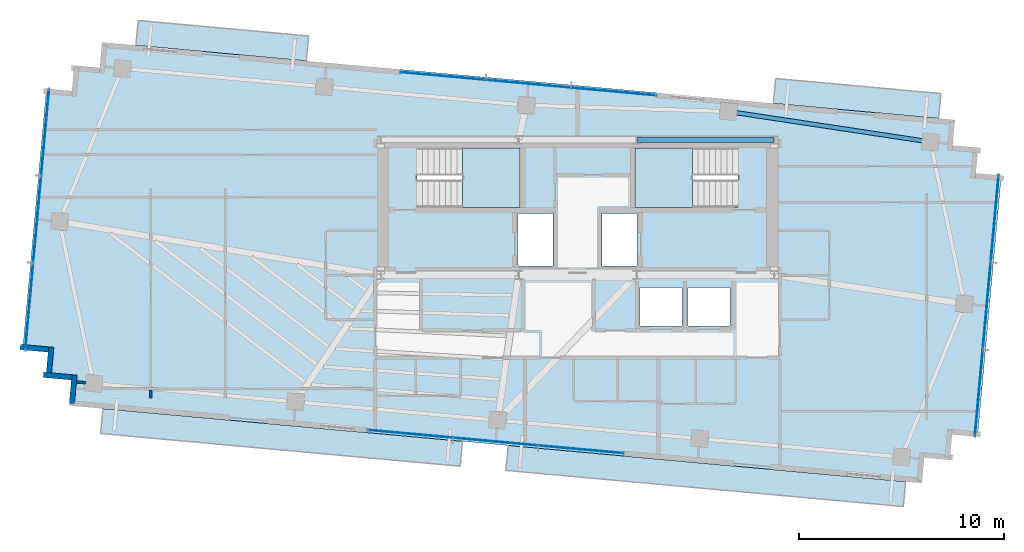
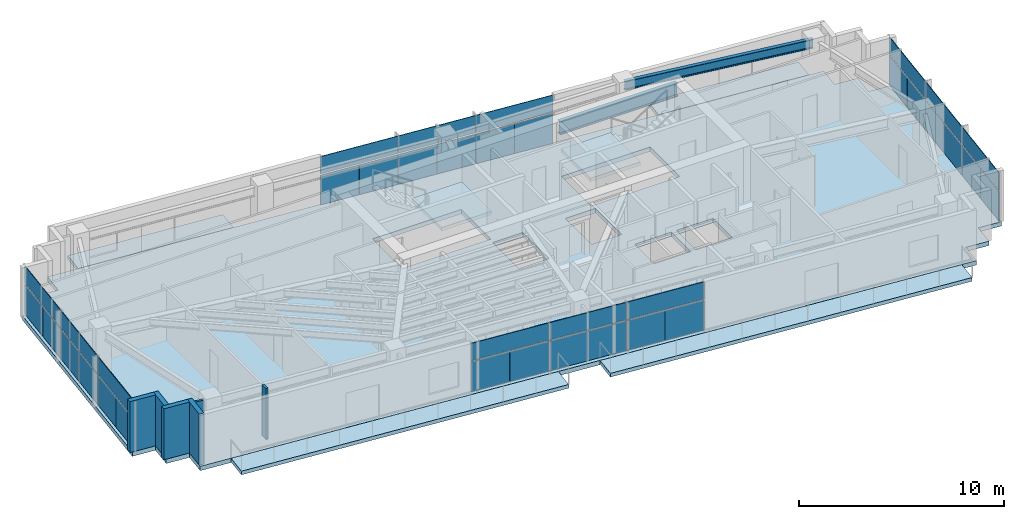
# One storey, part 15 of 22: 36 plates, 7 slabs, 6 walls, 2 beams, 6 elements without a shape of their own.
"""IFC4 building model written with IfcOpenShell, lengths in metres."""

from ifc_helpers import new_model, si_unit, direction, frame, frame_2d, origin, origin_2d, place, context, subcontext, project, spatial, polyline, rectangle, i_section, outline, extrude, source, transform, mapped, material, layer, layer_set, material_profile, profile_set, type_object, type_shapes, element, aggregate, save


model = new_model("IFC4")

# Units and contexts
model_context = context("Model", 3, precision=1e-05, world=origin(), true_north=direction((0.0, 1.0)))
body_context = subcontext(model_context, "Body", "Model", "MODEL_VIEW")
ifc_project = project(units=[si_unit("LENGTHUNIT", "METRE"), si_unit("AREAUNIT", "SQUARE_METRE"), si_unit("VOLUMEUNIT", "CUBIC_METRE"), si_unit("PLANEANGLEUNIT", "RADIAN"), si_unit("MASSUNIT", "GRAM", prefix="KILO")], contexts=[model_context])

# Site, building, storey
site_placement = place(None, origin())
site = spatial("IfcSite", under=ifc_project, at=site_placement, CompositionType="ELEMENT")
building_placement = place(site_placement, origin())
building = spatial("IfcBuilding", under=site, at=building_placement, Name="Astriad Promenade Condominiums", CompositionType="ELEMENT")
storey_placement = place(building_placement, frame((0.0, 0.0, 239.699951171875)))
storey = spatial("IfcBuildingStorey", under=building, at=storey_placement, Name="L69", CompositionType="ELEMENT", Elevation=239.699951171875)

# Beams
ifc_material_1 = material(Name="Steel ASTM A992 Grade 50", Category="steel")
ifc_material_profile_1 = material_profile(ifc_material_1, i_section(OverallWidth=0.267822265625, OverallDepth=0.76953125, WebThickness=0.015625, FlangeThickness=0.025390625, FilletRadius=0.021484375, at=origin_2d()), Name="W30X132")
ifc_profile_set_1 = profile_set([ifc_material_profile_1], Name="Steel ASTM A992 Grade 50")
beam_type_1 = type_object("IfcBeamType", Name="STEEL FLOOR GIRDER W30X132", PredefinedType="BEAM", material=ifc_profile_set_1)
shared_shape_1 = source(origin(), body_context, "Body", "SweptSolid", [
    extrude(i_section(OverallWidth=0.267822265625, OverallDepth=0.76953125, WebThickness=0.015625, FlangeThickness=0.025390625, FilletRadius=0.021484375, at=origin_2d()), origin(), (0.0, 0.0, 1.0), 6.64013671875),
])
type_shapes(beam_type_1, [shared_shape_1])
beam_1_placement = place(storey_placement, frame((38.919921875, 24.0, 2.6552734375), z_axis=(1.0, 0.0, 0.0), x_axis=(0.0, 1.0, 0.0)))
element("IfcBeam", 1, at=beam_1_placement, inside=storey, type_object=beam_type_1, Name="Core Ring Beam CG-N3-L69", PredefinedType="BEAM", context=body_context, shape_type="MappedRepresentation", body=[
    mapped(shared_shape_1, transform((0.0, 0.0, 0.0), scale=1.0)),
])
ifc_material_profile_2 = material_profile(ifc_material_1, i_section(OverallWidth=0.210693359375, OverallDepth=0.53955078125, WebThickness=0.01171875, FlangeThickness=0.018798828125, FilletRadius=0.0166015625, at=origin_2d()), Name="W21X73")
ifc_profile_set_2 = profile_set([ifc_material_profile_2], Name="Steel ASTM A992 Grade 50")
beam_type_2 = type_object("IfcBeamType", Name="STEEL SPANDREL BEAM W21X73", PredefinedType="SPANDREL", material=ifc_profile_set_2)
shared_shape_2 = source(origin(), body_context, "Body", "SweptSolid", [
    extrude(i_section(OverallWidth=0.210693359375, OverallDepth=0.53955078125, WebThickness=0.01171875, FlangeThickness=0.018798828125, FilletRadius=0.0166015625, at=origin_2d()), origin(), (0.0, 0.0, 1.0), 9.890869140625),
])
type_shapes(beam_type_2, [shared_shape_2])
beam_2_placement = place(storey_placement, frame((53.1787109375, 23.899658203125, 2.770263671875), z_axis=(-0.988827455442, 0.149064628143, 0.0), x_axis=(-0.149064628143, -0.988827455442, 0.0)))
element("IfcBeam", 2, at=beam_2_placement, inside=storey, type_object=beam_type_2, Name="Perimeter Spandrel Beam SP-N4-L69", PredefinedType="SPANDREL", context=body_context, shape_type="MappedRepresentation", body=[
    mapped(shared_shape_2, transform((0.0, 0.0, 0.0), scale=1.0)),
])

# Slab
ifc_material_2 = material(Name="Concrete C50/60", Category="concrete")
ifc_layer_1 = layer(ifc_material_2, 0.260009765625)
ifc_layer_set_1 = layer_set([ifc_layer_1], Name="Concrete C50/60")
slab_type_1 = type_object("IfcSlabType", Name="CONCRETE TOWER FLOOR SLAB 260", PredefinedType="FLOOR", material=ifc_layer_set_1)
slab_1_placement = place(storey_placement, frame((0.0, 0.0, -0.260009765625)))
element("IfcSlab", 3, at=slab_1_placement, inside=storey, type_object=slab_type_1, Name="Structural Floor Slab (L69)", PredefinedType="FLOOR", context=body_context, shape_type="SweptSolid", body=[
    extrude(outline(polyline([(11.179443359375, 11.03076171875), (52.807373046875, 7.242431640625), (52.920654296875, 8.4873046875), (54.16552734375, 8.3740234375), (54.27880859375, 9.618896484375), (55.523681640625, 9.505615234375), (56.68359375, 22.2529296875), (55.43896484375, 22.3662109375), (55.55224609375, 23.611083984375), (54.307373046875, 23.724365234375), (54.420654296875, 24.96923828125), (12.79248046875, 28.757568359375), (12.679443359375, 27.5126953125), (11.4345703125, 27.6259765625), (11.3212890625, 26.381103515625), (10.076416015625, 26.494384765625), (8.916259765625, 13.7470703125), (10.1611328125, 13.6337890625), (10.0478515625, 12.388916015625), (11.292724609375, 12.275634765625), (11.179443359375, 11.03076171875)]), holes=[polyline([(28.175048828125, 20.699951171875), (33.175048828125, 20.699951171875), (33.175048828125, 23.60009765625), (28.175048828125, 23.60009765625), (28.175048828125, 20.699951171875)]), polyline([(38.824951171875, 20.699951171875), (43.824951171875, 20.699951171875), (43.824951171875, 23.60009765625), (38.824951171875, 23.60009765625), (38.824951171875, 20.699951171875)]), polyline([(33.10009765625, 17.85009765625), (34.800048828125, 17.85009765625), (34.800048828125, 20.39990234375), (33.10009765625, 20.39990234375), (33.10009765625, 17.85009765625)]), polyline([(37.199951171875, 17.85009765625), (38.89990234375, 17.85009765625), (38.89990234375, 20.39990234375), (37.199951171875, 20.39990234375), (37.199951171875, 17.85009765625)]), polyline([(39.050048828125, 14.89990234375), (41.10009765625, 14.89990234375), (41.10009765625, 16.800048828125), (39.050048828125, 16.800048828125), (39.050048828125, 14.89990234375)]), polyline([(41.39990234375, 14.89990234375), (43.449951171875, 14.89990234375), (43.449951171875, 16.800048828125), (41.39990234375, 16.800048828125), (41.39990234375, 14.89990234375)])]), origin(), (0.0, 0.0, 1.0), 0.260009765625),
])

# Stair, slab
stair_type = type_object("IfcStairType", Name="STR-CORE-1350", PredefinedType="HALF_TURN_STAIR", material=ifc_material_2)
stair_1_placement = place(storey_placement, origin())
stair_1 = element("IfcStair", 4, at=stair_1_placement, inside=storey, type_object=stair_type, Name="L69 Enclosed Core Exit Stair ST-1", PredefinedType="HALF_TURN_STAIR")
ifc_layer_2 = layer(ifc_material_2, 0.219970703125)
ifc_layer_set_2 = layer_set([ifc_layer_2], Name="Concrete C50/60")
slab_type_2 = type_object("IfcSlabType", Name="SLB-LANDING-220", PredefinedType="LANDING", material=ifc_layer_set_2)
slab_2_placement = place(storey_placement, frame((0.0, 0.0, 1.449951171875)))
slab_2 = element("IfcSlab", 5, at=slab_2_placement, type_object=slab_type_2, Name="ST-1 landing 1", PredefinedType="LANDING", context=body_context, shape_type="SweptSolid", body=[
    extrude(outline(polyline([(30.389892578125, 20.699951171875), (33.199951171875, 20.699951171875), (33.199951171875, 23.60009765625), (30.389892578125, 23.60009765625), (30.389892578125, 20.699951171875)])), origin(), (0.0, 0.0, 1.0), 0.2001953125),
])
aggregate(stair_1, [slab_2])

stair_2_placement = place(storey_placement, origin())
stair_2 = element("IfcStair", 6, at=stair_2_placement, inside=storey, type_object=stair_type, Name="L69 Enclosed Core Exit Stair ST-2", PredefinedType="HALF_TURN_STAIR")
slab_3_placement = place(storey_placement, frame((0.0, 0.0, 1.449951171875)))
slab_3 = element("IfcSlab", 7, at=slab_3_placement, type_object=slab_type_2, Name="ST-2 landing 1", PredefinedType="LANDING", context=body_context, shape_type="SweptSolid", body=[
    extrude(outline(polyline([(41.610107421875, 23.60009765625), (38.800048828125, 23.60009765625), (38.800048828125, 20.699951171875), (41.610107421875, 20.699951171875), (41.610107421875, 23.60009765625)])), origin(), (0.0, 0.0, 1.0), 0.2001953125),
])
aggregate(stair_2, [slab_3])

# Slabs
ifc_material_3 = material(Name="Precast concrete C50/60", Category="concrete")
ifc_layer_3 = layer(ifc_material_3, 0.219970703125)
ifc_layer_set_3 = layer_set([ifc_layer_3], Name="Precast concrete C50/60")
slab_type_3 = type_object("IfcSlabType", Name="WHITE PRECAST CONCRETE WAVE BALCONY SLAB 220", PredefinedType="FLOOR", material=ifc_layer_set_3)
slab_4_placement = place(storey_placement, frame((0.0, 0.0, -0.219970703125)))
element("IfcSlab", 8, at=slab_4_placement, inside=storey, type_object=slab_type_3, Name="White Precast Wave Balcony Slab BAL-L69-SW", PredefinedType="FLOOR", context=body_context, shape_type="SweptSolid", body=[
    extrude(outline(polyline([(30.271484375, 8.068359375), (12.718994140625, 9.665771484375), (12.829345703125, 10.878662109375), (30.3818359375, 9.28125), (30.271484375, 8.068359375)])), origin(), (0.0, 0.0, 1.0), 0.219970703125),
])
slab_5_placement = place(storey_placement, frame((0.0, 0.0, -0.219970703125)))
element("IfcSlab", 9, at=slab_5_placement, inside=storey, type_object=slab_type_3, Name="White Precast Wave Balcony Slab BAL-L69-SE", PredefinedType="FLOOR", context=body_context, shape_type="SweptSolid", body=[
    extrude(outline(polyline([(51.899169921875, 6.10009765625), (32.503173828125, 7.865234375), (32.613525390625, 9.078125), (52.009521484375, 7.31298828125), (51.899169921875, 6.10009765625)])), origin(), (0.0, 0.0, 1.0), 0.219970703125),
])
slab_6_placement = place(storey_placement, frame((0.0, 0.0, -0.219970703125)))
element("IfcSlab", 10, at=slab_6_placement, inside=storey, type_object=slab_type_3, Name="White Precast Wave Balcony Slab BAL-L69-NW", PredefinedType="FLOOR", context=body_context, shape_type="SweptSolid", body=[
    extrude(outline(polyline([(14.553466796875, 29.822509765625), (22.8720703125, 29.065185546875), (22.76171875, 27.852294921875), (14.443115234375, 28.609375), (14.553466796875, 29.822509765625)])), origin(), (0.0, 0.0, 1.0), 0.219970703125),
])
slab_7_placement = place(storey_placement, frame((0.0, 0.0, -0.219970703125)))
element("IfcSlab", 11, at=slab_7_placement, inside=storey, type_object=slab_type_3, Name="White Precast Wave Balcony Slab BAL-L69-NE", PredefinedType="FLOOR", context=body_context, shape_type="SweptSolid", body=[
    extrude(outline(polyline([(45.667724609375, 26.99072265625), (53.7333984375, 26.256591796875), (53.623046875, 25.043701171875), (45.557373046875, 25.77783203125), (45.667724609375, 26.99072265625)])), origin(), (0.0, 0.0, 1.0), 0.219970703125),
])

# Curtain wall, plates
ifc_material_4 = material(Name="Anodised aluminium Black Dark Glass Unitised", Category="aluminium")
curtain_wall_type = type_object("IfcCurtainWallType", Name="CW-B5-DARK", PredefinedType="USERDEFINED", material=ifc_material_4)
curtain_wall_1_placement = place(storey_placement, origin())
curtain_wall_1 = element("IfcCurtainWall", 12, at=curtain_wall_1_placement, inside=storey, type_object=curtain_wall_type, Name="CW-L69-W", ObjectType="UNITISED_CURTAIN_WALL", PredefinedType="USERDEFINED")
ifc_material_5 = material(Name="Dark Tinted Low-E Laminated Glass", Category="glass")
ifc_layer_4 = layer(ifc_material_5, 0.035888671875)
ifc_layer_set_4 = layer_set([ifc_layer_4], Name="Dark Tinted Low-E Laminated Glass")
plate_type = type_object("IfcPlateType", Name="PNL-DARK-GLASS-36", PredefinedType="CURTAIN_PANEL", material=ifc_layer_set_4)
shared_shape_3 = source(origin(), body_context, "Body", "SweptSolid", [
    extrude(rectangle(XDim=2.121337890625, YDim=0.035888671875, at=origin_2d()), origin(), (0.0, 0.0, 1.0), 1.764892578125),
])
plate_1_placement = place(storey_placement, frame((9.142578125, 14.797607421875, 0.080078125), z_axis=(0.0, 0.0, 1.0), x_axis=(0.090632580198, 0.995884398616, 0.0)))
plate_1 = element("IfcPlate", 13, at=plate_1_placement, type_object=plate_type, Name="CW-L69-W-PNL-00-VL", PredefinedType="CURTAIN_PANEL", context=body_context, shape_type="MappedRepresentation", body=[
    mapped(shared_shape_3, transform((0.0, 0.0, 0.0), scale=1.0)),
])
plate_2_placement = place(storey_placement, frame((9.335693359375, 16.922119140625, 0.080078125), z_axis=(0.0, 0.0, 1.0), x_axis=(0.090632580198, 0.995884398616, 0.0)))
plate_2 = element("IfcPlate", 14, at=plate_2_placement, type_object=plate_type, Name="CW-L69-W-PNL-00-VR", PredefinedType="CURTAIN_PANEL", context=body_context, shape_type="MappedRepresentation", body=[
    mapped(shared_shape_3, transform((0.0, 0.0, 0.0), scale=1.0)),
])
plate_3_placement = place(storey_placement, frame((9.529296875, 19.046630859375, 0.080078125), z_axis=(0.0, 0.0, 1.0), x_axis=(0.090632580198, 0.995884398616, 0.0)))
plate_3 = element("IfcPlate", 15, at=plate_3_placement, type_object=plate_type, Name="CW-L69-W-PNL-01-VL", PredefinedType="CURTAIN_PANEL", context=body_context, shape_type="MappedRepresentation", body=[
    mapped(shared_shape_3, transform((0.0, 0.0, 0.0), scale=1.0)),
])
plate_4_placement = place(storey_placement, frame((9.722412109375, 21.17138671875, 0.080078125), z_axis=(0.0, 0.0, 1.0), x_axis=(0.090632580198, 0.995884398616, 0.0)))
plate_4 = element("IfcPlate", 16, at=plate_4_placement, type_object=plate_type, Name="CW-L69-W-PNL-01-VR", PredefinedType="CURTAIN_PANEL", context=body_context, shape_type="MappedRepresentation", body=[
    mapped(shared_shape_3, transform((0.0, 0.0, 0.0), scale=1.0)),
])
plate_5_placement = place(storey_placement, frame((9.916015625, 23.2958984375, 0.080078125), z_axis=(0.0, 0.0, 1.0), x_axis=(0.090632580198, 0.995884398616, 0.0)))
plate_5 = element("IfcPlate", 17, at=plate_5_placement, type_object=plate_type, Name="CW-L69-W-PNL-02-VL", PredefinedType="CURTAIN_PANEL", context=body_context, shape_type="MappedRepresentation", body=[
    mapped(shared_shape_3, transform((0.0, 0.0, 0.0), scale=1.0)),
])
plate_6_placement = place(storey_placement, frame((10.109130859375, 25.42041015625, 0.080078125), z_axis=(0.0, 0.0, 1.0), x_axis=(0.090632580198, 0.995884398616, 0.0)))
plate_6 = element("IfcPlate", 18, at=plate_6_placement, type_object=plate_type, Name="CW-L69-W-PNL-02-VR", PredefinedType="CURTAIN_PANEL", context=body_context, shape_type="MappedRepresentation", body=[
    mapped(shared_shape_3, transform((0.0, 0.0, 0.0), scale=1.0)),
])

curtain_wall_2_placement = place(storey_placement, origin())
curtain_wall_2 = element("IfcCurtainWall", 19, at=curtain_wall_2_placement, inside=storey, type_object=curtain_wall_type, Name="CW-L69-E", ObjectType="UNITISED_CURTAIN_WALL", PredefinedType="USERDEFINED")
plate_7_placement = place(storey_placement, frame((56.45751953125, 21.202392578125, 0.080078125), z_axis=(0.0, 0.0, 1.0), x_axis=(-0.090632580198, -0.995884398616, 0.0)))
plate_7 = element("IfcPlate", 20, at=plate_7_placement, type_object=plate_type, Name="CW-L69-E-PNL-00-VL", PredefinedType="CURTAIN_PANEL", context=body_context, shape_type="MappedRepresentation", body=[
    mapped(shared_shape_3, transform((0.0, 0.0, 0.0), scale=1.0)),
])
plate_8_placement = place(storey_placement, frame((56.26416015625, 19.077880859375, 0.080078125), z_axis=(0.0, 0.0, 1.0), x_axis=(-0.090632580198, -0.995884398616, 0.0)))
plate_8 = element("IfcPlate", 21, at=plate_8_placement, type_object=plate_type, Name="CW-L69-E-PNL-00-VR", PredefinedType="CURTAIN_PANEL", context=body_context, shape_type="MappedRepresentation", body=[
    mapped(shared_shape_3, transform((0.0, 0.0, 0.0), scale=1.0)),
])
plate_9_placement = place(storey_placement, frame((56.07080078125, 16.953369140625, 0.080078125), z_axis=(0.0, 0.0, 1.0), x_axis=(-0.090632580198, -0.995884398616, 0.0)))
plate_9 = element("IfcPlate", 22, at=plate_9_placement, type_object=plate_type, Name="CW-L69-E-PNL-01-VL", PredefinedType="CURTAIN_PANEL", context=body_context, shape_type="MappedRepresentation", body=[
    mapped(shared_shape_3, transform((0.0, 0.0, 0.0), scale=1.0)),
])
plate_10_placement = place(storey_placement, frame((55.87744140625, 14.82861328125, 0.080078125), z_axis=(0.0, 0.0, 1.0), x_axis=(-0.090632580198, -0.995884398616, 0.0)))
plate_10 = element("IfcPlate", 23, at=plate_10_placement, type_object=plate_type, Name="CW-L69-E-PNL-01-VR", PredefinedType="CURTAIN_PANEL", context=body_context, shape_type="MappedRepresentation", body=[
    mapped(shared_shape_3, transform((0.0, 0.0, 0.0), scale=1.0)),
])
plate_11_placement = place(storey_placement, frame((55.68408203125, 12.7041015625, 0.080078125), z_axis=(0.0, 0.0, 1.0), x_axis=(-0.090632580198, -0.995884398616, 0.0)))
plate_11 = element("IfcPlate", 24, at=plate_11_placement, type_object=plate_type, Name="CW-L69-E-PNL-02-VL", PredefinedType="CURTAIN_PANEL", context=body_context, shape_type="MappedRepresentation", body=[
    mapped(shared_shape_3, transform((0.0, 0.0, 0.0), scale=1.0)),
])
plate_12_placement = place(storey_placement, frame((55.49072265625, 10.57958984375, 0.080078125), z_axis=(0.0, 0.0, 1.0), x_axis=(-0.090632580198, -0.995884398616, 0.0)))
plate_12 = element("IfcPlate", 25, at=plate_12_placement, type_object=plate_type, Name="CW-L69-E-PNL-02-VR", PredefinedType="CURTAIN_PANEL", context=body_context, shape_type="MappedRepresentation", body=[
    mapped(shared_shape_3, transform((0.0, 0.0, 0.0), scale=1.0)),
])

# Plate
shared_shape_4 = source(origin(), body_context, "Body", "SweptSolid", [
    extrude(rectangle(XDim=4.254638671875, YDim=0.035888671875, at=origin_2d()), origin(), (0.0, 0.0, 1.0), 1.03515625),
])
plate_13_placement = place(storey_placement, frame((9.239013671875, 15.85986328125, 1.9248046875), z_axis=(0.0, 0.0, 1.0), x_axis=(0.090632580198, 0.995884398616, 0.0)))
plate_13 = element("IfcPlate", 26, at=plate_13_placement, type_object=plate_type, Name="CW-L69-W-PNL-00-S", PredefinedType="CURTAIN_PANEL", context=body_context, shape_type="MappedRepresentation", body=[
    mapped(shared_shape_4, transform((0.0, 0.0, 0.0), scale=1.0)),
])

plate_14_placement = place(storey_placement, frame((9.625732421875, 20.10888671875, 1.9248046875), z_axis=(0.0, 0.0, 1.0), x_axis=(0.090632580198, 0.995884398616, 0.0)))
plate_14 = element("IfcPlate", 27, at=plate_14_placement, type_object=plate_type, Name="CW-L69-W-PNL-01-S", PredefinedType="CURTAIN_PANEL", context=body_context, shape_type="MappedRepresentation", body=[
    mapped(shared_shape_4, transform((0.0, 0.0, 0.0), scale=1.0)),
])

plate_15_placement = place(storey_placement, frame((10.0126953125, 24.358154296875, 1.9248046875), z_axis=(0.0, 0.0, 1.0), x_axis=(0.090632580198, 0.995884398616, 0.0)))
plate_15 = element("IfcPlate", 28, at=plate_15_placement, type_object=plate_type, Name="CW-L69-W-PNL-02-S", PredefinedType="CURTAIN_PANEL", context=body_context, shape_type="MappedRepresentation", body=[
    mapped(shared_shape_4, transform((0.0, 0.0, 0.0), scale=1.0)),
])

aggregate(curtain_wall_1, [plate_1, plate_2, plate_13, plate_3, plate_4, plate_14, plate_5, plate_6, plate_15])

plate_16_placement = place(storey_placement, frame((56.36083984375, 20.14013671875, 1.9248046875), z_axis=(0.0, 0.0, 1.0), x_axis=(-0.090632580198, -0.995884398616, 0.0)))
plate_16 = element("IfcPlate", 29, at=plate_16_placement, type_object=plate_type, Name="CW-L69-E-PNL-00-S", PredefinedType="CURTAIN_PANEL", context=body_context, shape_type="MappedRepresentation", body=[
    mapped(shared_shape_4, transform((0.0, 0.0, 0.0), scale=1.0)),
])

plate_17_placement = place(storey_placement, frame((55.97412109375, 15.89111328125, 1.9248046875), z_axis=(0.0, 0.0, 1.0), x_axis=(-0.090632580198, -0.995884398616, 0.0)))
plate_17 = element("IfcPlate", 30, at=plate_17_placement, type_object=plate_type, Name="CW-L69-E-PNL-01-S", PredefinedType="CURTAIN_PANEL", context=body_context, shape_type="MappedRepresentation", body=[
    mapped(shared_shape_4, transform((0.0, 0.0, 0.0), scale=1.0)),
])

plate_18_placement = place(storey_placement, frame((55.58740234375, 11.641845703125, 1.9248046875), z_axis=(0.0, 0.0, 1.0), x_axis=(-0.090632580198, -0.995884398616, 0.0)))
plate_18 = element("IfcPlate", 31, at=plate_18_placement, type_object=plate_type, Name="CW-L69-E-PNL-02-S", PredefinedType="CURTAIN_PANEL", context=body_context, shape_type="MappedRepresentation", body=[
    mapped(shared_shape_4, transform((0.0, 0.0, 0.0), scale=1.0)),
])

aggregate(curtain_wall_2, [plate_7, plate_8, plate_16, plate_9, plate_10, plate_17, plate_11, plate_12, plate_18])

# Curtain wall, plates
curtain_wall_3_placement = place(storey_placement, origin())
curtain_wall_3 = element("IfcCurtainWall", 32, at=curtain_wall_3_placement, inside=storey, type_object=curtain_wall_type, Name="CW-L69-N", ObjectType="UNITISED_CURTAIN_WALL", PredefinedType="USERDEFINED")
shared_shape_5 = source(origin(), body_context, "Body", "SweptSolid", [
    extrude(rectangle(XDim=2.077880859375, YDim=0.035888671875, at=origin_2d()), origin(), (0.0, 0.0, 1.0), 1.764892578125),
])
plate_19_placement = place(storey_placement, frame((28.391357421875, 27.20751953125, 0.080078125), z_axis=(0.0, 0.0, 1.0), x_axis=(0.995884398616, -0.090632580198, 0.0)))
plate_19 = element("IfcPlate", 33, at=plate_19_placement, type_object=plate_type, Name="CW-L69-N-PNL-00-VL", PredefinedType="CURTAIN_PANEL", context=body_context, shape_type="MappedRepresentation", body=[
    mapped(shared_shape_5, transform((0.0, 0.0, 0.0), scale=1.0)),
])
plate_20_placement = place(storey_placement, frame((30.47265625, 27.01806640625, 0.080078125), z_axis=(0.0, 0.0, 1.0), x_axis=(0.995884398616, -0.090632580198, 0.0)))
plate_20 = element("IfcPlate", 34, at=plate_20_placement, type_object=plate_type, Name="CW-L69-N-PNL-00-VR", PredefinedType="CURTAIN_PANEL", context=body_context, shape_type="MappedRepresentation", body=[
    mapped(shared_shape_5, transform((0.0, 0.0, 0.0), scale=1.0)),
])
plate_21_placement = place(storey_placement, frame((32.55419921875, 26.82861328125, 0.080078125), z_axis=(0.0, 0.0, 1.0), x_axis=(0.995884398616, -0.090632580198, 0.0)))
plate_21 = element("IfcPlate", 35, at=plate_21_placement, type_object=plate_type, Name="CW-L69-N-PNL-01-VL", PredefinedType="CURTAIN_PANEL", context=body_context, shape_type="MappedRepresentation", body=[
    mapped(shared_shape_5, transform((0.0, 0.0, 0.0), scale=1.0)),
])
plate_22_placement = place(storey_placement, frame((34.635498046875, 26.63916015625, 0.080078125), z_axis=(0.0, 0.0, 1.0), x_axis=(0.995884398616, -0.090632580198, 0.0)))
plate_22 = element("IfcPlate", 36, at=plate_22_placement, type_object=plate_type, Name="CW-L69-N-PNL-01-VR", PredefinedType="CURTAIN_PANEL", context=body_context, shape_type="MappedRepresentation", body=[
    mapped(shared_shape_5, transform((0.0, 0.0, 0.0), scale=1.0)),
])
plate_23_placement = place(storey_placement, frame((36.716796875, 26.44970703125, 0.080078125), z_axis=(0.0, 0.0, 1.0), x_axis=(0.995884398616, -0.090632580198, 0.0)))
plate_23 = element("IfcPlate", 37, at=plate_23_placement, type_object=plate_type, Name="CW-L69-N-PNL-02-VL", PredefinedType="CURTAIN_PANEL", context=body_context, shape_type="MappedRepresentation", body=[
    mapped(shared_shape_5, transform((0.0, 0.0, 0.0), scale=1.0)),
])
plate_24_placement = place(storey_placement, frame((38.79833984375, 26.26025390625, 0.080078125), z_axis=(0.0, 0.0, 1.0), x_axis=(0.995884398616, -0.090632580198, 0.0)))
plate_24 = element("IfcPlate", 38, at=plate_24_placement, type_object=plate_type, Name="CW-L69-N-PNL-02-VR", PredefinedType="CURTAIN_PANEL", context=body_context, shape_type="MappedRepresentation", body=[
    mapped(shared_shape_5, transform((0.0, 0.0, 0.0), scale=1.0)),
])

curtain_wall_4_placement = place(storey_placement, origin())
curtain_wall_4 = element("IfcCurtainWall", 39, at=curtain_wall_4_placement, inside=storey, type_object=curtain_wall_type, Name="CW-L69-S", ObjectType="UNITISED_CURTAIN_WALL", PredefinedType="USERDEFINED")
plate_25_placement = place(storey_placement, frame((37.208740234375, 8.79248046875, 0.080078125), z_axis=(0.0, 0.0, 1.0), x_axis=(-0.995884398616, 0.090632580198, 0.0)))
plate_25 = element("IfcPlate", 40, at=plate_25_placement, type_object=plate_type, Name="CW-L69-S-PNL-00-VL", PredefinedType="CURTAIN_PANEL", context=body_context, shape_type="MappedRepresentation", body=[
    mapped(shared_shape_5, transform((0.0, 0.0, 0.0), scale=1.0)),
])
plate_26_placement = place(storey_placement, frame((35.127197265625, 8.98193359375, 0.080078125), z_axis=(0.0, 0.0, 1.0), x_axis=(-0.995884398616, 0.090632580198, 0.0)))
plate_26 = element("IfcPlate", 41, at=plate_26_placement, type_object=plate_type, Name="CW-L69-S-PNL-00-VR", PredefinedType="CURTAIN_PANEL", context=body_context, shape_type="MappedRepresentation", body=[
    mapped(shared_shape_5, transform((0.0, 0.0, 0.0), scale=1.0)),
])
plate_27_placement = place(storey_placement, frame((33.0458984375, 9.17138671875, 0.080078125), z_axis=(0.0, 0.0, 1.0), x_axis=(-0.995884398616, 0.090632580198, 0.0)))
plate_27 = element("IfcPlate", 42, at=plate_27_placement, type_object=plate_type, Name="CW-L69-S-PNL-01-VL", PredefinedType="CURTAIN_PANEL", context=body_context, shape_type="MappedRepresentation", body=[
    mapped(shared_shape_5, transform((0.0, 0.0, 0.0), scale=1.0)),
])
plate_28_placement = place(storey_placement, frame((30.964599609375, 9.36083984375, 0.080078125), z_axis=(0.0, 0.0, 1.0), x_axis=(-0.995884398616, 0.090632580198, 0.0)))
plate_28 = element("IfcPlate", 43, at=plate_28_placement, type_object=plate_type, Name="CW-L69-S-PNL-01-VR", PredefinedType="CURTAIN_PANEL", context=body_context, shape_type="MappedRepresentation", body=[
    mapped(shared_shape_5, transform((0.0, 0.0, 0.0), scale=1.0)),
])
plate_29_placement = place(storey_placement, frame((28.883056640625, 9.55029296875, 0.080078125), z_axis=(0.0, 0.0, 1.0), x_axis=(-0.995884398616, 0.090632580198, 0.0)))
plate_29 = element("IfcPlate", 44, at=plate_29_placement, type_object=plate_type, Name="CW-L69-S-PNL-02-VL", PredefinedType="CURTAIN_PANEL", context=body_context, shape_type="MappedRepresentation", body=[
    mapped(shared_shape_5, transform((0.0, 0.0, 0.0), scale=1.0)),
])
plate_30_placement = place(storey_placement, frame((26.8017578125, 9.73974609375, 0.080078125), z_axis=(0.0, 0.0, 1.0), x_axis=(-0.995884398616, 0.090632580198, 0.0)))
plate_30 = element("IfcPlate", 45, at=plate_30_placement, type_object=plate_type, Name="CW-L69-S-PNL-02-VR", PredefinedType="CURTAIN_PANEL", context=body_context, shape_type="MappedRepresentation", body=[
    mapped(shared_shape_5, transform((0.0, 0.0, 0.0), scale=1.0)),
])

# Plate
shared_shape_6 = source(origin(), body_context, "Body", "SweptSolid", [
    extrude(rectangle(XDim=4.16796875, YDim=0.035888671875, at=origin_2d()), origin(), (0.0, 0.0, 1.0), 1.03515625),
])
type_shapes(plate_type, [shared_shape_3, shared_shape_4, shared_shape_5, shared_shape_6])
plate_31_placement = place(storey_placement, frame((29.431884765625, 27.11279296875, 1.9248046875), z_axis=(0.0, 0.0, 1.0), x_axis=(0.995884398616, -0.090632580198, 0.0)))
plate_31 = element("IfcPlate", 46, at=plate_31_placement, type_object=plate_type, Name="CW-L69-N-PNL-00-S", PredefinedType="CURTAIN_PANEL", context=body_context, shape_type="MappedRepresentation", body=[
    mapped(shared_shape_6, transform((0.0, 0.0, 0.0), scale=1.0)),
])

plate_32_placement = place(storey_placement, frame((33.5947265625, 26.73388671875, 1.9248046875), z_axis=(0.0, 0.0, 1.0), x_axis=(0.995884398616, -0.090632580198, 0.0)))
plate_32 = element("IfcPlate", 47, at=plate_32_placement, type_object=plate_type, Name="CW-L69-N-PNL-01-S", PredefinedType="CURTAIN_PANEL", context=body_context, shape_type="MappedRepresentation", body=[
    mapped(shared_shape_6, transform((0.0, 0.0, 0.0), scale=1.0)),
])

plate_33_placement = place(storey_placement, frame((37.757568359375, 26.35498046875, 1.9248046875), z_axis=(0.0, 0.0, 1.0), x_axis=(0.995884398616, -0.090632580198, 0.0)))
plate_33 = element("IfcPlate", 48, at=plate_33_placement, type_object=plate_type, Name="CW-L69-N-PNL-02-S", PredefinedType="CURTAIN_PANEL", context=body_context, shape_type="MappedRepresentation", body=[
    mapped(shared_shape_6, transform((0.0, 0.0, 0.0), scale=1.0)),
])

aggregate(curtain_wall_3, [plate_19, plate_20, plate_31, plate_21, plate_22, plate_32, plate_23, plate_24, plate_33])

plate_34_placement = place(storey_placement, frame((36.16796875, 8.88720703125, 1.9248046875), z_axis=(0.0, 0.0, 1.0), x_axis=(-0.995884398616, 0.090632580198, 0.0)))
plate_34 = element("IfcPlate", 49, at=plate_34_placement, type_object=plate_type, Name="CW-L69-S-PNL-00-S", PredefinedType="CURTAIN_PANEL", context=body_context, shape_type="MappedRepresentation", body=[
    mapped(shared_shape_6, transform((0.0, 0.0, 0.0), scale=1.0)),
])

plate_35_placement = place(storey_placement, frame((32.005126953125, 9.26611328125, 1.9248046875), z_axis=(0.0, 0.0, 1.0), x_axis=(-0.995884398616, 0.090632580198, 0.0)))
plate_35 = element("IfcPlate", 50, at=plate_35_placement, type_object=plate_type, Name="CW-L69-S-PNL-01-S", PredefinedType="CURTAIN_PANEL", context=body_context, shape_type="MappedRepresentation", body=[
    mapped(shared_shape_6, transform((0.0, 0.0, 0.0), scale=1.0)),
])

plate_36_placement = place(storey_placement, frame((27.84228515625, 9.64501953125, 1.9248046875), z_axis=(0.0, 0.0, 1.0), x_axis=(-0.995884398616, 0.090632580198, 0.0)))
plate_36 = element("IfcPlate", 51, at=plate_36_placement, type_object=plate_type, Name="CW-L69-S-PNL-02-S", PredefinedType="CURTAIN_PANEL", context=body_context, shape_type="MappedRepresentation", body=[
    mapped(shared_shape_6, transform((0.0, 0.0, 0.0), scale=1.0)),
])

aggregate(curtain_wall_4, [plate_25, plate_26, plate_34, plate_27, plate_28, plate_35, plate_29, plate_30, plate_36])

# Walls
ifc_layer_5 = layer(ifc_material_3, 0.260009765625)
ifc_layer_set_5 = layer_set([ifc_layer_5], Name="Precast concrete C50/60")
wall_type_1 = type_object("IfcWallType", Name="WALL-EXT-TWR-260", PredefinedType="STANDARD", material=ifc_layer_set_5)
wall_1_placement = place(storey_placement, frame((11.3193359375, 12.40380859375, 0.0), z_axis=(0.0, 0.0, 1.0), x_axis=(-0.995881721538, 0.090661991521, 0.0)))
element("IfcWall", 52, at=wall_1_placement, inside=storey, type_object=wall_type_1, Name="W-SER-L69-00", PredefinedType="STANDARD", context=body_context, shape_type="SweptSolid", body=[
    extrude(rectangle(XDim=1.39501953125, YDim=0.260009765625, at=frame_2d((0.697509765625, 0.0))), origin(), (0.0, 0.0, 1.0), 3.0400390625),
])
wall_2_placement = place(storey_placement, frame((10.187744140625, 12.49169921875, 0.0), z_axis=(0.0, 0.0, 1.0), x_axis=(0.090646191665, 0.995883159782, 0.0)))
element("IfcWall", 53, at=wall_2_placement, inside=storey, type_object=wall_type_1, Name="W-SER-L69-01", PredefinedType="STANDARD", context=body_context, shape_type="SweptSolid", body=[
    extrude(rectangle(XDim=1.395263671875, YDim=0.260009765625, at=frame_2d((0.69775390625, 0.0))), origin(), (0.0, 0.0, 1.0), 3.0400390625),
])
for number, where, z_axis, x_axis, name in (
    (54, (10.187744140625, 13.761962890625, 0.0), (0.0, 0.0, 1.0), (-0.995881721538, 0.090661991521, 0.0), "W-SER-L69-02"),
    (55, (11.3193359375, 11.133544921875, 0.0), (0.0, 0.0, 1.0), (0.090661991521, 0.995881721538, 0.0), "W-SER-L69-19"),
):
    element("IfcWall", number, at=place(storey_placement, frame(where, z_axis=z_axis, x_axis=x_axis)), inside=storey, type_object=wall_type_1, Name=name, PredefinedType="STANDARD", context=body_context, shape_type="SweptSolid", body=[
        extrude(rectangle(XDim=1.39501953125, YDim=0.260009765625, at=frame_2d((0.697509765625, 0.0))), origin(), (0.0, 0.0, 1.0), 3.0400390625),
    ])
ifc_material_6 = material(Name="Acoustic Metal-Stud Gypsum Partition")
ifc_layer_6 = layer(ifc_material_6, 0.1201171875)
ifc_layer_set_6 = layer_set([ifc_layer_6], Name="Acoustic Metal-Stud Gypsum Partition")
wall_type_2 = type_object("IfcWallType", Name="WALL-PART-120", PredefinedType="PARTITIONING", material=ifc_layer_set_6)
wall_3_placement = place(storey_placement, frame((15.172119140625, 11.39990234375, 0.0), z_axis=(0.0, 0.0, 1.0), x_axis=(0.0, 1.0, 0.0)))
element("IfcWall", 56, at=wall_3_placement, inside=storey, type_object=wall_type_2, Name="PT-L69-W1-WDV5", PredefinedType="PARTITIONING", context=body_context, shape_type="SweptSolid", body=[
    extrude(rectangle(XDim=0.378173828125, YDim=0.1201171875, at=frame_2d((0.18896484375, 0.0))), origin(), (0.0, 0.0, 1.0), 3.0400390625),
])
wall_4_placement = place(storey_placement, frame((12.00341796875, 12.140625, 0.0), z_axis=(0.0, 0.0, 1.0), x_axis=(-0.995884462012, 0.090631883588, 0.0)))
element("IfcWall", 57, at=wall_4_placement, inside=storey, type_object=wall_type_2, Name="PT-PIL-L69-PC01-8", PredefinedType="PARTITIONING", context=body_context, shape_type="SweptSolid", body=[
    extrude(rectangle(XDim=0.4580078125, YDim=0.1201171875, at=frame_2d((0.22900390625, 0.0))), origin(), (0.0, 0.0, 1.0), 3.0400390625),
])

save(model, "model.ifc")
